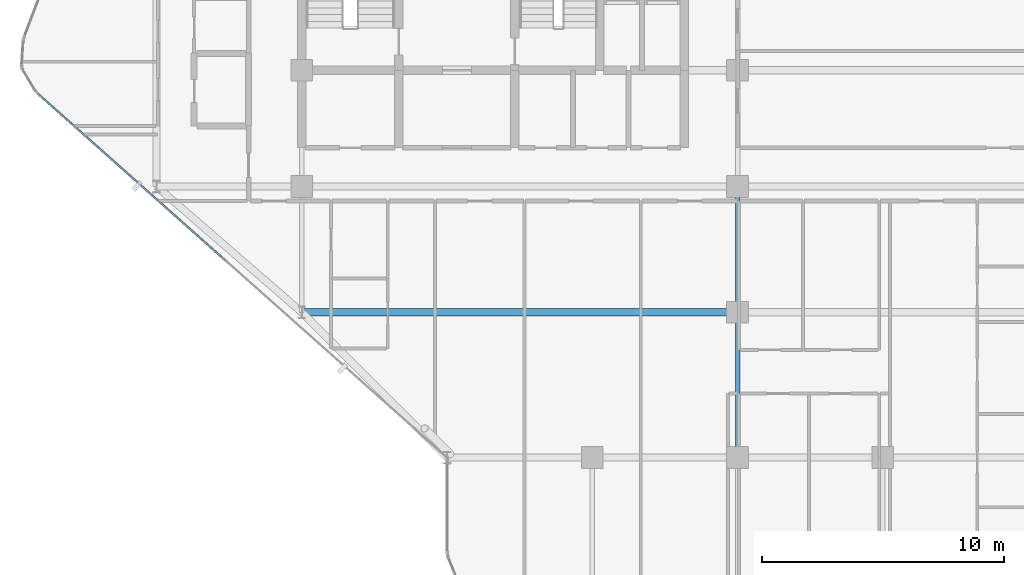
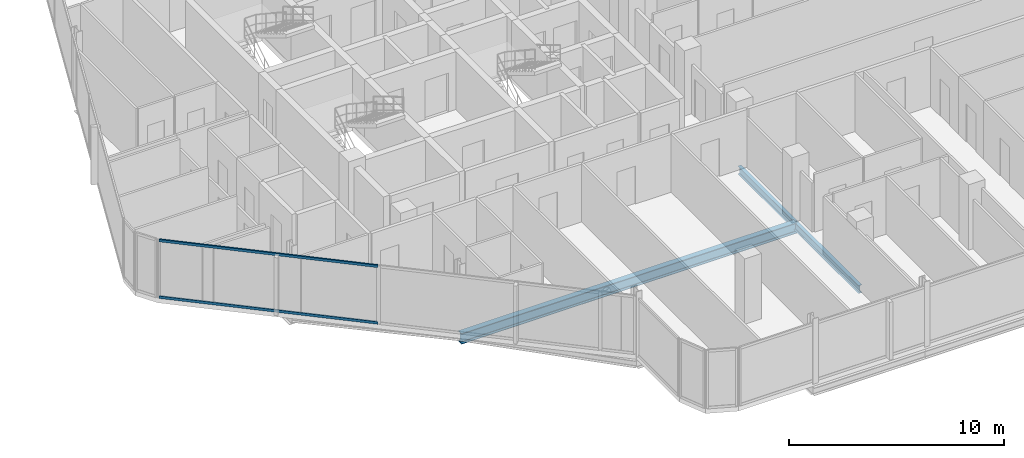
# One storey, part 6 of 31: 3 beams, 2 members, 1 element without a shape of its own.
"""IFC4 building model written with IfcOpenShell, lengths in metres."""

from ifc_helpers import new_model, si_unit, direction, frame, origin, origin_2d, place, context, subcontext, project, spatial, hollow_rectangle, i_section, extrude, material, layer, layer_set, material_profile, profile_set, type_object, element, aggregate, save


model = new_model("IFC4")

# Units and contexts
model_context = context("Model", 3, precision=1e-05, world=origin(), true_north=direction((0.0, 1.0)))
body_context = subcontext(model_context, "Body", "Model", "MODEL_VIEW")
ifc_project = project(units=[si_unit("LENGTHUNIT", "METRE"), si_unit("AREAUNIT", "SQUARE_METRE"), si_unit("VOLUMEUNIT", "CUBIC_METRE"), si_unit("PLANEANGLEUNIT", "RADIAN"), si_unit("MASSUNIT", "GRAM", prefix="KILO")], contexts=[model_context])

# Site, building, storey
site_placement = place(None, origin())
site = spatial("IfcSite", under=ifc_project, at=site_placement, CompositionType="ELEMENT")
building_placement = place(site_placement, origin())
building = spatial("IfcBuilding", under=site, at=building_placement, Name="Keshet Zoharim Tower", CompositionType="ELEMENT")
storey_placement = place(building_placement, frame((0.0, 0.0, 155.699951171875)))
storey = spatial("IfcBuildingStorey", under=building, at=storey_placement, Name="L38", CompositionType="ELEMENT", Elevation=155.699951171875)

# Beams
ifc_material_1 = material(Name="Steel S355", Category="steel")
ifc_material_profile_1 = material_profile(ifc_material_1, i_section(OverallWidth=0.300048828125, OverallDepth=0.60009765625, WebThickness=0.015380859375, FlangeThickness=0.030029296875, FilletRadius=0.027099609375, at=origin_2d()), Name="HEB600")
ifc_profile_set_1 = profile_set([ifc_material_profile_1], Name="Steel S355")
beam_type_1 = type_object("IfcBeamType", Name="BM-LNG-HB600", PredefinedType="BEAM", material=ifc_profile_set_1)
beam_1_placement = place(storey_placement, frame((15.0, 12.699951171875, -0.614990234375), z_axis=(1.0, 0.0, 0.0), x_axis=(0.0, 1.0, 0.0)))
element("IfcBeam", 1, at=beam_1_placement, inside=storey, type_object=beam_type_1, Name="L38 Primary Girder X-009", PredefinedType="BEAM", context=body_context, shape_type="SweptSolid", body=[
    extrude(i_section(OverallWidth=0.300048828125, OverallDepth=0.60009765625, WebThickness=0.015380859375, FlangeThickness=0.030029296875, FilletRadius=0.027099609375, at=origin_2d()), origin(), (0.0, 0.0, 1.0), 18.0),
])
ifc_material_profile_2 = material_profile(ifc_material_1, i_section(OverallWidth=0.18994140625, OverallDepth=0.449951171875, WebThickness=0.009521484375, FlangeThickness=0.0146484375, FilletRadius=0.02099609375, at=origin_2d()), Name="IPE450")
ifc_profile_set_2 = profile_set([ifc_material_profile_2], Name="Steel S355")
beam_type_2 = type_object("IfcBeamType", Name="BM-PRI-IP450", PredefinedType="BEAM", material=ifc_profile_set_2)
beam_2_placement = place(storey_placement, frame((33.0, 6.699951171875, -0.5400390625), z_axis=(0.0, 1.0, 0.0), x_axis=(-1.0, 0.0, 0.0)))
element("IfcBeam", 2, at=beam_2_placement, inside=storey, type_object=beam_type_2, Name="L38 Primary Girder Y-006", PredefinedType="BEAM", context=body_context, shape_type="SweptSolid", body=[
    extrude(i_section(OverallWidth=0.18994140625, OverallDepth=0.449951171875, WebThickness=0.009521484375, FlangeThickness=0.0146484375, FilletRadius=0.02099609375, at=origin_2d()), origin(), (0.0, 0.0, 1.0), 6.0),
])
beam_3_placement = place(storey_placement, frame((33.0, 12.699951171875, -0.5400390625), z_axis=(0.0, 1.0, 0.0), x_axis=(-1.0, 0.0, 0.0)))
element("IfcBeam", 3, at=beam_3_placement, inside=storey, type_object=beam_type_2, Name="L38 Primary Girder Y-007", PredefinedType="BEAM", context=body_context, shape_type="SweptSolid", body=[
    extrude(i_section(OverallWidth=0.18994140625, OverallDepth=0.449951171875, WebThickness=0.009521484375, FlangeThickness=0.0146484375, FilletRadius=0.02099609375, at=origin_2d()), origin(), (0.0, 0.0, 1.0), 5.199951171875),
])

# Curtain wall, members
ifc_material_2 = material(Name="Aluminium 6063-T6", Category="aluminium")
ifc_layer = layer(ifc_material_2, 0.159912109375)
ifc_layer_set = layer_set([ifc_layer], Name="Aluminium 6063-T6")
curtain_wall_type = type_object("IfcCurtainWallType", Name="CW-SYS-03", PredefinedType="NOTDEFINED", material=ifc_layer_set)
curtain_wall_placement = place(storey_placement, origin())
curtain_wall = element("IfcCurtainWall", 4, at=curtain_wall_placement, inside=storey, type_object=curtain_wall_type, Name="L38 Unitised Curtain Wall 07 Part 2", PredefinedType="NOTDEFINED")
ifc_material_profile_3 = material_profile(ifc_material_2, hollow_rectangle(XDim=0.080078125, YDim=0.139892578125, WallThickness=0.00390625, at=origin_2d()), Name="TRN-80x140")
ifc_profile_set_3 = profile_set([ifc_material_profile_3], Name="Aluminium 6063-T6")
member_type = type_object("IfcMemberType", Name="CWT-T14", PredefinedType="USERDEFINED", material=ifc_profile_set_3)
member_1_placement = place(storey_placement, frame((11.839111328125, 14.843017578125, 0.03515625), z_axis=(-0.747410617427, 0.664362377741, 0.0), x_axis=(-0.664362377741, -0.747410617427, 0.0)))
member_1 = element("IfcMember", 5, at=member_1_placement, type_object=member_type, Name="CW-03 transom 2.1", ObjectType="TRANSOM", PredefinedType="USERDEFINED", context=body_context, shape_type="SweptSolid", body=[
    extrude(hollow_rectangle(XDim=0.080078125, YDim=0.139892578125, WallThickness=0.00390625, at=origin_2d()), origin(), (0.0, 0.0, 1.0), 10.371337890625),
])
member_2_placement = place(storey_placement, frame((11.839111328125, 14.843017578125, 3.2451171875), z_axis=(-0.747410617427, 0.664362377741, 0.0), x_axis=(-0.664362377741, -0.747410617427, 0.0)))
member_2 = element("IfcMember", 6, at=member_2_placement, type_object=member_type, Name="CW-03 transom 2.2", ObjectType="TRANSOM", PredefinedType="USERDEFINED", context=body_context, shape_type="SweptSolid", body=[
    extrude(hollow_rectangle(XDim=0.080078125, YDim=0.139892578125, WallThickness=0.00390625, at=origin_2d()), origin(), (0.0, 0.0, 1.0), 10.371337890625),
])
aggregate(curtain_wall, [member_1, member_2])

save(model, "model.ifc")
